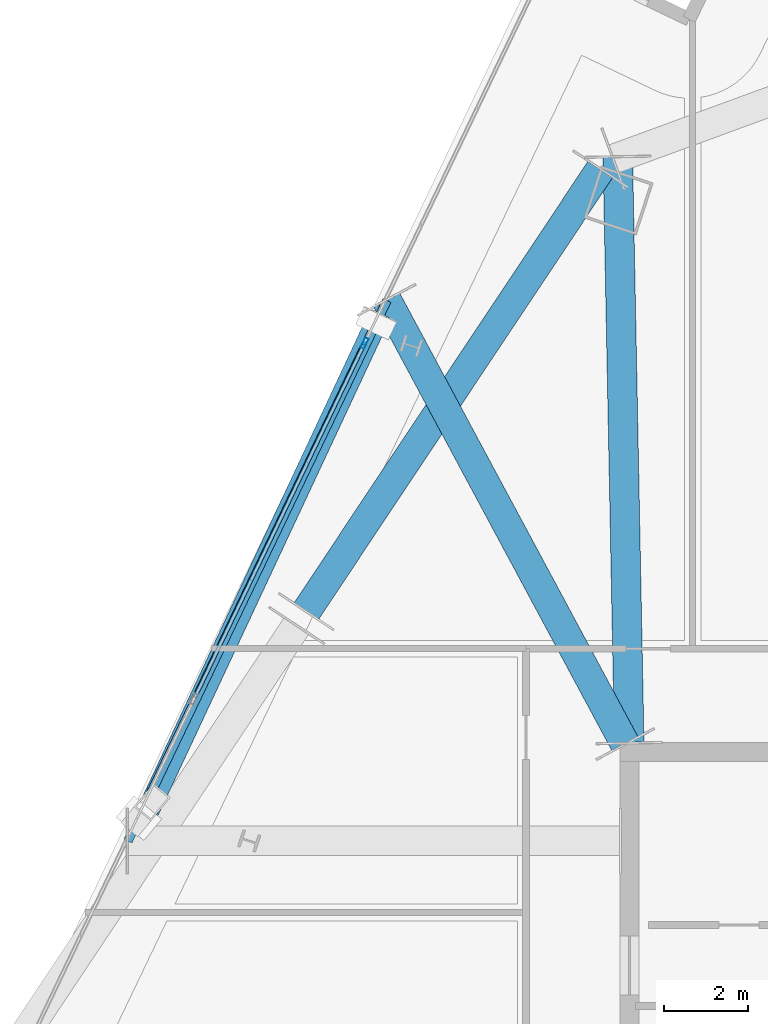
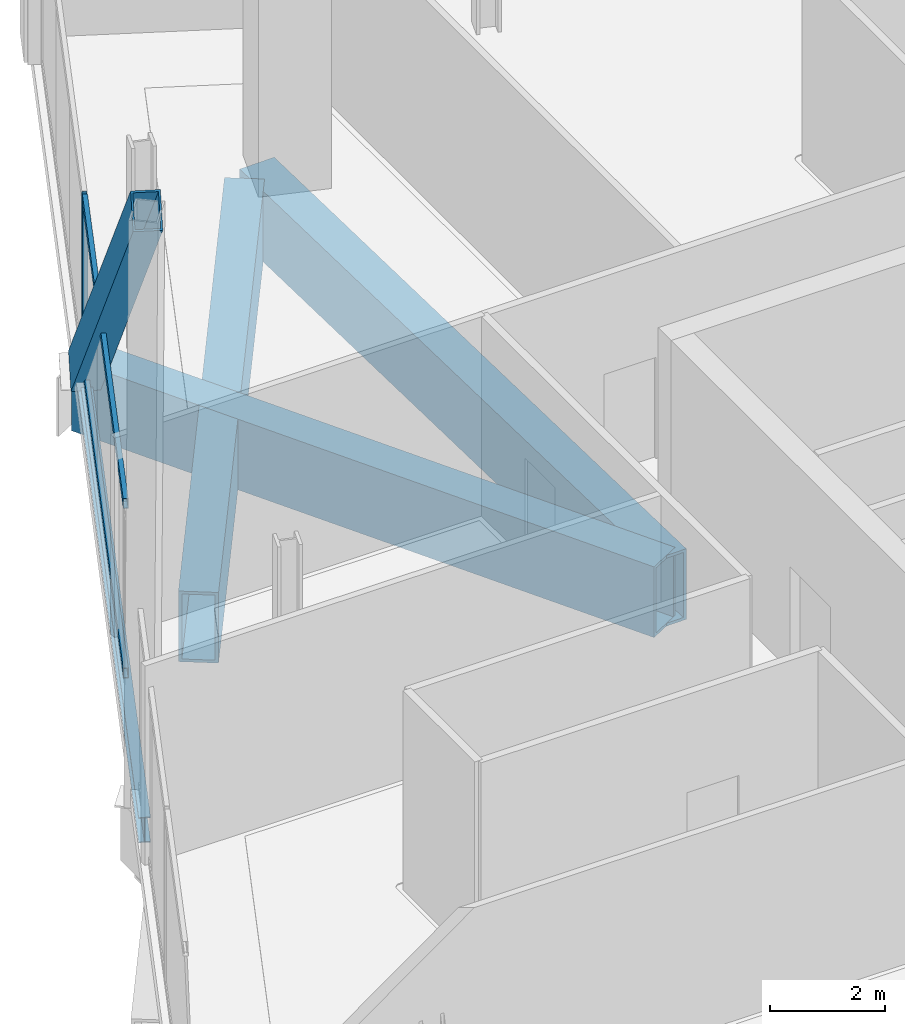
# One storey, part 10 of 24: 4 beams, 4 members, 1 element without a shape of its own.
"""IFC4 building model written with IfcOpenShell, lengths in metres."""

from ifc_helpers import new_model, si_unit, direction, frame, origin, origin_2d, place, context, subcontext, project, spatial, hollow_rectangle, i_section, extrude, material, material_profile, profile_set, type_object, element, aggregate, save


model = new_model("IFC4")

# Units and contexts
model_context = context("Model", 3, precision=1e-05, world=origin(), true_north=direction((0.0, 1.0)))
body_context = subcontext(model_context, "Body", "Model", "MODEL_VIEW")
ifc_project = project(units=[si_unit("LENGTHUNIT", "METRE"), si_unit("AREAUNIT", "SQUARE_METRE"), si_unit("VOLUMEUNIT", "CUBIC_METRE"), si_unit("PLANEANGLEUNIT", "RADIAN"), si_unit("MASSUNIT", "GRAM", prefix="KILO")], contexts=[model_context])

# Site, building, storey
site_placement = place(None, origin())
site = spatial("IfcSite", under=ifc_project, at=site_placement, CompositionType="ELEMENT")
building_placement = place(site_placement, origin())
building = spatial("IfcBuilding", under=site, at=building_placement, Name="Haldenkirk Collegiate Tower", CompositionType="ELEMENT")
storey_placement = place(building_placement, frame((0.0, 0.0, 244.199951171875)))
storey = spatial("IfcBuildingStorey", under=building, at=storey_placement, Name="L61", CompositionType="ELEMENT", Elevation=244.199951171875)

# Beams
ifc_material_1 = material(Name="Steel ASTM A992 Grade 50", Category="steel")
ifc_material_profile_1 = material_profile(ifc_material_1, i_section(OverallWidth=0.2099609375, OverallDepth=0.537109375, WebThickness=0.010986328125, FlangeThickness=0.017333984375, at=origin_2d()), Name="W21X68")
ifc_profile_set_1 = profile_set([ifc_material_profile_1], Name="Steel ASTM A992 Grade 50")
beam_type_1 = type_object("IfcBeamType", Name="BM-SPANDREL-W21X68", PredefinedType="SPANDREL", material=ifc_profile_set_1)
beam_1_placement = place(storey_placement, frame((21.253662109375, 44.702880859375, -0.66845703125), z_axis=(-0.432086106359, -0.901832355093, 0.0), x_axis=(0.901832355093, -0.432086106359, 0.0)))
element("IfcBeam", 1, at=beam_1_placement, inside=storey, type_object=beam_type_1, Name="L61 outer facade edge beam 3", PredefinedType="SPANDREL", context=body_context, shape_type="SweptSolid", body=[
    extrude(i_section(OverallWidth=0.2099609375, OverallDepth=0.537109375, WebThickness=0.010986328125, FlangeThickness=0.017333984375, at=origin_2d()), origin(), (0.0, 0.0, 1.0), 14.20361328125),
])
ifc_material_2 = material(Name="Steel ASTM A572 Grade 50", Category="steel")
ifc_material_profile_2 = material_profile(ifc_material_2, hollow_rectangle(XDim=0.699951171875, YDim=1.5, WallThickness=0.06005859375, at=origin_2d()), Name="BOX1500X700X60")
ifc_profile_set_2 = profile_set([ifc_material_profile_2], Name="Steel ASTM A572 Grade 50")
beam_type_2 = type_object("IfcBeamType", Name="BM-TRANSFER-BOX1500X700X60", PredefinedType="BEAM", material=ifc_profile_set_2)
beam_2_placement = place(storey_placement, frame((26.3076171875, 47.80322265625, -1.14990234375), z_axis=(-0.554125989098, -0.832432813028, 0.0), x_axis=(0.832432813028, -0.554125989098, 0.0)))
element("IfcBeam", 2, at=beam_2_placement, inside=storey, type_object=beam_type_2, Name="L61 sky-lobby perimeter transfer girder 10", PredefinedType="BEAM", context=body_context, shape_type="SweptSolid", body=[
    extrude(hollow_rectangle(XDim=0.699951171875, YDim=1.5, WallThickness=0.06005859375, at=origin_2d()), origin(), (0.0, 0.0, 1.0), 12.56201171875),
])
beam_3_placement = place(storey_placement, frame((26.72509765625, 48.093017578125, -1.14990234375), z_axis=(0.019509168647, -0.999809678058, 0.0), x_axis=(0.999809678058, 0.019509168647, 0.0)))
element("IfcBeam", 3, at=beam_3_placement, inside=storey, type_object=beam_type_2, Name="L61 sky-lobby radial transfer girder 03", PredefinedType="BEAM", context=body_context, shape_type="SweptSolid", body=[
    extrude(hollow_rectangle(XDim=0.699951171875, YDim=1.5, WallThickness=0.06005859375, at=origin_2d()), origin(), (0.0, 0.0, 1.0), 13.86572265625),
])
beam_4_placement = place(storey_placement, frame((21.253662109375, 44.702880859375, -1.14990234375), z_axis=(0.473024464891, -0.881049292386, 0.0), x_axis=(0.881049292386, 0.473024464891, 0.0)))
element("IfcBeam", 4, at=beam_4_placement, inside=storey, type_object=beam_type_2, Name="L61 sky-lobby radial transfer girder 11", PredefinedType="BEAM", context=body_context, shape_type="SweptSolid", body=[
    extrude(hollow_rectangle(XDim=0.699951171875, YDim=1.5, WallThickness=0.06005859375, at=origin_2d()), origin(), (0.0, 0.0, 1.0), 11.91796875),
])

# Curtain wall, members
ifc_material_3 = material(Name="Anodised architectural bronze aluminium", Category="aluminium")
curtain_wall_type = type_object("IfcCurtainWallType", Name="CW-SYS4-SKYGARDEN", PredefinedType="USERDEFINED", material=ifc_material_3)
curtain_wall_placement = place(storey_placement, origin())
curtain_wall = element("IfcCurtainWall", 5, at=curtain_wall_placement, inside=storey, type_object=curtain_wall_type, Name="L61 Sky-garden tall bronze curtain wall", ObjectType="UNITISED CURTAIN WALL", PredefinedType="USERDEFINED")
ifc_material_profile_3 = material_profile(ifc_material_3, hollow_rectangle(XDim=0.090087890625, YDim=0.260009765625, WallThickness=0.0048828125, at=origin_2d()), Name="CW-MUL-04")
ifc_profile_set_3 = profile_set([ifc_material_profile_3], Name="Anodised architectural bronze aluminium")
member_type_1 = type_object("IfcMemberType", Name="CW-MUL-04", PredefinedType="MULLION", material=ifc_profile_set_3)
member_1_placement = place(storey_placement, frame((20.72265625, 43.6875, 0.0), z_axis=(0.0, 0.0, 1.0), x_axis=(-0.90183341563, 0.432083892841, 0.0)))
member_1 = element("IfcMember", 6, at=member_1_placement, type_object=member_type_1, Name="CW-04 mullion 4", PredefinedType="MULLION", context=body_context, shape_type="SweptSolid", body=[
    extrude(hollow_rectangle(XDim=0.090087890625, YDim=0.260009765625, WallThickness=0.0048828125, at=origin_2d()), origin(), (0.0, 0.0, 1.0), 3.68798828125),
])
ifc_material_profile_4 = material_profile(ifc_material_3, hollow_rectangle(XDim=0.090087890625, YDim=0.2099609375, WallThickness=0.0048828125, at=origin_2d()), Name="CW-TRN-04")
ifc_profile_set_4 = profile_set([ifc_material_profile_4], Name="Anodised architectural bronze aluminium")
member_type_2 = type_object("IfcMemberType", Name="CW-TRN-04", PredefinedType="USERDEFINED", material=ifc_profile_set_4)
member_2_placement = place(storey_placement, frame((16.7021484375, 35.2958984375, 0.045166015625), z_axis=(0.432100971724, 0.901825232645, 0.0), x_axis=(-0.901825232645, 0.432100971724, 0.0)))
member_2 = element("IfcMember", 7, at=member_2_placement, type_object=member_type_2, Name="CW-04 transom 3.1", ObjectType="TRANSOM", PredefinedType="USERDEFINED", context=body_context, shape_type="SweptSolid", body=[
    extrude(hollow_rectangle(XDim=0.090087890625, YDim=0.2099609375, WallThickness=0.0048828125, at=origin_2d()), origin(), (0.0, 0.0, 1.0), 9.260009765625),
])
member_3_placement = place(storey_placement, frame((16.7021484375, 35.2958984375, 3.64306640625), z_axis=(0.432100971724, 0.901825232645, 0.0), x_axis=(-0.901825232645, 0.432100971724, 0.0)))
member_3 = element("IfcMember", 8, at=member_3_placement, type_object=member_type_2, Name="CW-04 transom 3.2", ObjectType="TRANSOM", PredefinedType="USERDEFINED", context=body_context, shape_type="SweptSolid", body=[
    extrude(hollow_rectangle(XDim=0.090087890625, YDim=0.2099609375, WallThickness=0.0048828125, at=origin_2d()), origin(), (0.0, 0.0, 1.0), 9.260009765625),
])
aggregate(curtain_wall, [member_1, member_2, member_3])

# Member
ifc_material_profile_5 = material_profile(ifc_material_2, hollow_rectangle(XDim=0.52001953125, YDim=0.719970703125, WallThickness=0.035888671875, at=origin_2d()), Name="BOX720X520X36")
ifc_profile_set_5 = profile_set([ifc_material_profile_5], Name="Steel ASTM A572 Grade 50")
member_type_3 = type_object("IfcMemberType", Name="MBR-MEGABRACE-BOX720X520X36", PredefinedType="BRACE", material=ifc_profile_set_5)
member_4_placement = place(storey_placement, frame((20.994384765625, 44.161865234375, -0.409912109375), z_axis=(-0.304192189249, -0.650808309889, 0.695640464449), x_axis=(0.905926048488, -0.423435939276, 0.0)))
element("IfcMember", 9, at=member_4_placement, inside=storey, type_object=member_type_3, Name="Perimeter Mega Brace Z5 L61-L63 NL", PredefinedType="BRACE", context=body_context, shape_type="SweptSolid", body=[
    extrude(hollow_rectangle(XDim=0.52001953125, YDim=0.719970703125, WallThickness=0.035888671875, at=origin_2d()), origin(), (0.0, 0.0, 1.0), 17.43701171875),
])

save(model, "model.ifc")
